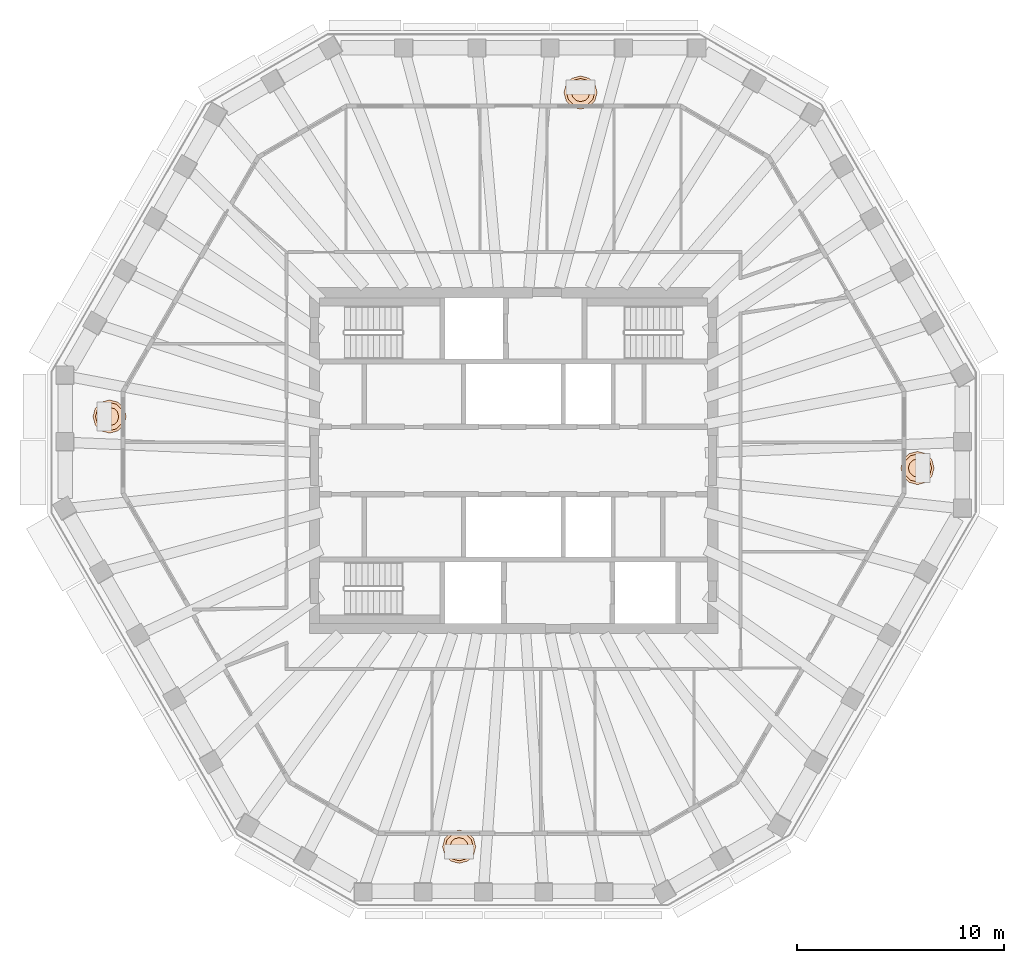
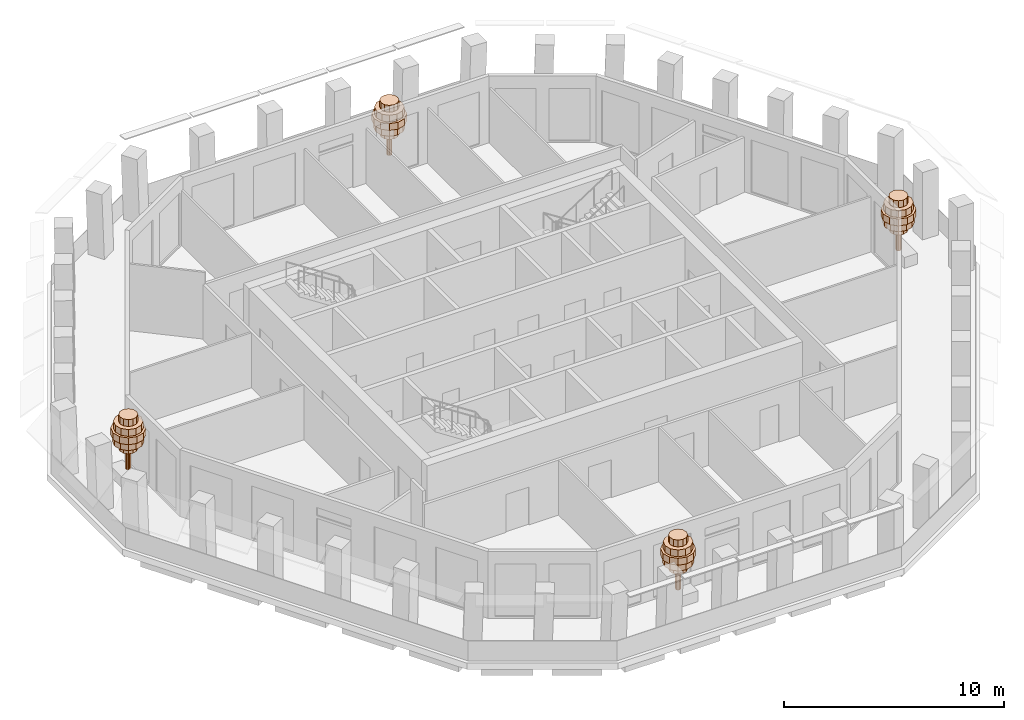
# One storey, part 11 of 11: 4 geographic elements.
"""IFC4 building model written with IfcOpenShell, lengths in metres."""

from ifc_helpers import new_model, si_unit, direction, frame, origin, place, context, subcontext, project, spatial, polyline, outline, extrude, material, type_object, element, save


model = new_model("IFC4")

# Units and contexts
model_context = context("Model", 3, precision=1e-05, world=origin(), true_north=direction((0.0, 1.0)))
body_context = subcontext(model_context, "Body", "Model", "MODEL_VIEW")
ifc_project = project(units=[si_unit("LENGTHUNIT", "METRE"), si_unit("AREAUNIT", "SQUARE_METRE"), si_unit("VOLUMEUNIT", "CUBIC_METRE"), si_unit("PLANEANGLEUNIT", "RADIAN"), si_unit("MASSUNIT", "GRAM", prefix="KILO")], contexts=[model_context])

# Site, building, storey
site_placement = place(None, origin())
site = spatial("IfcSite", under=ifc_project, at=site_placement, CompositionType="ELEMENT")
building_placement = place(site_placement, origin())
building = spatial("IfcBuilding", under=site, at=building_placement, Name="Frailejon Research Tower", CompositionType="ELEMENT")
storey_placement = place(building_placement, frame((0.0, 0.0, 336.60009765625)))
storey = spatial("IfcBuildingStorey", under=building, at=storey_placement, Name="L75", CompositionType="ELEMENT", Elevation=336.60009765625)

# Geographic elements
ifc_material = material(Name="Foliage, green")
geographic_element_type = type_object("IfcGeographicElementType", Name="Frailejon tree, loggia", PredefinedType="USERDEFINED", material=ifc_material)
geographic_element_1_placement = place(storey_placement, frame((19.485595703125, -0.361328125, 0.599853515625)))
element("IfcGeographicElement", 1, at=geographic_element_1_placement, inside=storey, type_object=geographic_element_type, Name="Tree L75", ObjectType="TREE", PredefinedType="USERDEFINED", context=body_context, shape_type="SweptSolid", body=[
    extrude(outline(polyline([(0.1298828125, 0.0), (0.112548828125, 0.06494140625), (0.06494140625, 0.112548828125), (0.0, 0.1298828125), (-0.06494140625, 0.112548828125), (-0.112548828125, 0.06494140625), (-0.1298828125, 0.0), (-0.112548828125, -0.06494140625), (-0.06494140625, -0.112548828125), (0.0, -0.1298828125), (0.06494140625, -0.112548828125), (0.112548828125, -0.06494140625), (0.1298828125, 0.0)])), origin(), (0.0, 0.0, 1.0), 2.239990234375),
    extrude(outline(polyline([(0.43994140625, 0.0), (0.381103515625, 0.219970703125), (0.219970703125, 0.381103515625), (0.0, 0.43994140625), (-0.219970703125, 0.381103515625), (-0.381103515625, 0.219970703125), (-0.43994140625, 0.0), (-0.381103515625, -0.219970703125), (-0.219970703125, -0.381103515625), (0.0, -0.43994140625), (0.219970703125, -0.381103515625), (0.381103515625, -0.219970703125), (0.43994140625, 0.0)])), frame((0.0, 0.0, 1.10009765625)), (0.0, 0.0, 1.0), 0.3798828125),
    extrude(outline(polyline([(0.719970703125, 0.0), (0.62353515625, 0.360107421875), (0.360107421875, 0.62353515625), (0.0, 0.719970703125), (-0.360107421875, 0.62353515625), (-0.62353515625, 0.360107421875), (-0.719970703125, 0.0), (-0.62353515625, -0.360107421875), (-0.360107421875, -0.62353515625), (0.0, -0.719970703125), (0.360107421875, -0.62353515625), (0.62353515625, -0.360107421875), (0.719970703125, 0.0)])), frame((0.0, 0.0, 1.47998046875)), (0.0, 0.0, 1.0), 0.3798828125),
    extrude(outline(polyline([(0.800048828125, 0.0), (0.69287109375, 0.39990234375), (0.39990234375, 0.69287109375), (0.0, 0.800048828125), (-0.39990234375, 0.69287109375), (-0.69287109375, 0.39990234375), (-0.800048828125, 0.0), (-0.69287109375, -0.39990234375), (-0.39990234375, -0.69287109375), (0.0, -0.800048828125), (0.39990234375, -0.69287109375), (0.69287109375, -0.39990234375), (0.800048828125, 0.0)])), frame((0.0, 0.0, 1.860107421875)), (0.0, 0.0, 1.0), 0.3798828125),
    extrude(outline(polyline([(0.679931640625, 0.0), (0.5888671875, 0.340087890625), (0.340087890625, 0.5888671875), (0.0, 0.679931640625), (-0.340087890625, 0.5888671875), (-0.5888671875, 0.340087890625), (-0.679931640625, 0.0), (-0.5888671875, -0.340087890625), (-0.340087890625, -0.5888671875), (0.0, -0.679931640625), (0.340087890625, -0.5888671875), (0.5888671875, -0.340087890625), (0.679931640625, 0.0)])), frame((0.0, 0.0, 2.239990234375)), (0.0, 0.0, 1.0), 0.3798828125),
    extrude(outline(polyline([(0.43994140625, 0.0), (0.381103515625, 0.219970703125), (0.219970703125, 0.381103515625), (0.0, 0.43994140625), (-0.219970703125, 0.381103515625), (-0.381103515625, 0.219970703125), (-0.43994140625, 0.0), (-0.381103515625, -0.219970703125), (-0.219970703125, -0.381103515625), (0.0, -0.43994140625), (0.219970703125, -0.381103515625), (0.381103515625, -0.219970703125), (0.43994140625, 0.0)])), frame((0.0, 0.0, 2.6201171875)), (0.0, 0.0, 1.0), 0.3798828125),
])
geographic_element_2_placement = place(storey_placement, frame((3.23193359375, 17.75, 0.599853515625)))
element("IfcGeographicElement", 2, at=geographic_element_2_placement, inside=storey, type_object=geographic_element_type, Name="Tree L75", ObjectType="TREE", PredefinedType="USERDEFINED", context=body_context, shape_type="SweptSolid", body=[
    extrude(outline(polyline([(0.1298828125, 0.0), (0.112548828125, 0.06494140625), (0.06494140625, 0.112548828125), (0.0, 0.1298828125), (-0.06494140625, 0.112548828125), (-0.112548828125, 0.06494140625), (-0.1298828125, 0.0), (-0.112548828125, -0.06494140625), (-0.06494140625, -0.112548828125), (0.0, -0.1298828125), (0.06494140625, -0.112548828125), (0.112548828125, -0.06494140625), (0.1298828125, 0.0)])), origin(), (0.0, 0.0, 1.0), 2.239990234375),
    extrude(outline(polyline([(0.43994140625, 0.0), (0.381103515625, 0.219970703125), (0.219970703125, 0.381103515625), (0.0, 0.43994140625), (-0.219970703125, 0.381103515625), (-0.381103515625, 0.219970703125), (-0.43994140625, 0.0), (-0.381103515625, -0.219970703125), (-0.219970703125, -0.381103515625), (0.0, -0.43994140625), (0.219970703125, -0.381103515625), (0.381103515625, -0.219970703125), (0.43994140625, 0.0)])), frame((0.0, 0.0, 1.10009765625)), (0.0, 0.0, 1.0), 0.3798828125),
    extrude(outline(polyline([(0.719970703125, 0.0), (0.62353515625, 0.360107421875), (0.360107421875, 0.62353515625), (0.0, 0.719970703125), (-0.360107421875, 0.62353515625), (-0.62353515625, 0.360107421875), (-0.719970703125, 0.0), (-0.62353515625, -0.360107421875), (-0.360107421875, -0.62353515625), (0.0, -0.719970703125), (0.360107421875, -0.62353515625), (0.62353515625, -0.360107421875), (0.719970703125, 0.0)])), frame((0.0, 0.0, 1.47998046875)), (0.0, 0.0, 1.0), 0.3798828125),
    extrude(outline(polyline([(0.800048828125, 0.0), (0.69287109375, 0.39990234375), (0.39990234375, 0.69287109375), (0.0, 0.800048828125), (-0.39990234375, 0.69287109375), (-0.69287109375, 0.39990234375), (-0.800048828125, 0.0), (-0.69287109375, -0.39990234375), (-0.39990234375, -0.69287109375), (0.0, -0.800048828125), (0.39990234375, -0.69287109375), (0.69287109375, -0.39990234375), (0.800048828125, 0.0)])), frame((0.0, 0.0, 1.860107421875)), (0.0, 0.0, 1.0), 0.3798828125),
    extrude(outline(polyline([(0.679931640625, 0.0), (0.5888671875, 0.340087890625), (0.340087890625, 0.5888671875), (0.0, 0.679931640625), (-0.340087890625, 0.5888671875), (-0.5888671875, 0.340087890625), (-0.679931640625, 0.0), (-0.5888671875, -0.340087890625), (-0.340087890625, -0.5888671875), (0.0, -0.679931640625), (0.340087890625, -0.5888671875), (0.5888671875, -0.340087890625), (0.679931640625, 0.0)])), frame((0.0, 0.0, 2.239990234375)), (0.0, 0.0, 1.0), 0.3798828125),
    extrude(outline(polyline([(0.43994140625, 0.0), (0.381103515625, 0.219970703125), (0.219970703125, 0.381103515625), (0.0, 0.43994140625), (-0.219970703125, 0.381103515625), (-0.381103515625, 0.219970703125), (-0.43994140625, 0.0), (-0.381103515625, -0.219970703125), (-0.219970703125, -0.381103515625), (0.0, -0.43994140625), (0.219970703125, -0.381103515625), (0.381103515625, -0.219970703125), (0.43994140625, 0.0)])), frame((0.0, 0.0, 2.6201171875)), (0.0, 0.0, 1.0), 0.3798828125),
])
geographic_element_3_placement = place(storey_placement, frame((-19.485595703125, 2.12109375, 0.599853515625)))
element("IfcGeographicElement", 3, at=geographic_element_3_placement, inside=storey, type_object=geographic_element_type, Name="Tree L75", ObjectType="TREE", PredefinedType="USERDEFINED", context=body_context, shape_type="SweptSolid", body=[
    extrude(outline(polyline([(0.1298828125, 0.0), (0.112548828125, 0.06494140625), (0.06494140625, 0.112548828125), (0.0, 0.1298828125), (-0.06494140625, 0.112548828125), (-0.112548828125, 0.06494140625), (-0.1298828125, 0.0), (-0.112548828125, -0.06494140625), (-0.06494140625, -0.112548828125), (0.0, -0.1298828125), (0.06494140625, -0.112548828125), (0.112548828125, -0.06494140625), (0.1298828125, 0.0)])), origin(), (0.0, 0.0, 1.0), 2.239990234375),
    extrude(outline(polyline([(0.43994140625, 0.0), (0.381103515625, 0.219970703125), (0.219970703125, 0.381103515625), (0.0, 0.43994140625), (-0.219970703125, 0.381103515625), (-0.381103515625, 0.219970703125), (-0.43994140625, 0.0), (-0.381103515625, -0.219970703125), (-0.219970703125, -0.381103515625), (0.0, -0.43994140625), (0.219970703125, -0.381103515625), (0.381103515625, -0.219970703125), (0.43994140625, 0.0)])), frame((0.0, 0.0, 1.10009765625)), (0.0, 0.0, 1.0), 0.3798828125),
    extrude(outline(polyline([(0.719970703125, 0.0), (0.62353515625, 0.360107421875), (0.360107421875, 0.62353515625), (0.0, 0.719970703125), (-0.360107421875, 0.62353515625), (-0.62353515625, 0.360107421875), (-0.719970703125, 0.0), (-0.62353515625, -0.360107421875), (-0.360107421875, -0.62353515625), (0.0, -0.719970703125), (0.360107421875, -0.62353515625), (0.62353515625, -0.360107421875), (0.719970703125, 0.0)])), frame((0.0, 0.0, 1.47998046875)), (0.0, 0.0, 1.0), 0.3798828125),
    extrude(outline(polyline([(0.800048828125, 0.0), (0.69287109375, 0.39990234375), (0.39990234375, 0.69287109375), (0.0, 0.800048828125), (-0.39990234375, 0.69287109375), (-0.69287109375, 0.39990234375), (-0.800048828125, 0.0), (-0.69287109375, -0.39990234375), (-0.39990234375, -0.69287109375), (0.0, -0.800048828125), (0.39990234375, -0.69287109375), (0.69287109375, -0.39990234375), (0.800048828125, 0.0)])), frame((0.0, 0.0, 1.860107421875)), (0.0, 0.0, 1.0), 0.3798828125),
    extrude(outline(polyline([(0.679931640625, 0.0), (0.5888671875, 0.340087890625), (0.340087890625, 0.5888671875), (0.0, 0.679931640625), (-0.340087890625, 0.5888671875), (-0.5888671875, 0.340087890625), (-0.679931640625, 0.0), (-0.5888671875, -0.340087890625), (-0.340087890625, -0.5888671875), (0.0, -0.679931640625), (0.340087890625, -0.5888671875), (0.5888671875, -0.340087890625), (0.679931640625, 0.0)])), frame((0.0, 0.0, 2.239990234375)), (0.0, 0.0, 1.0), 0.3798828125),
    extrude(outline(polyline([(0.43994140625, 0.0), (0.381103515625, 0.219970703125), (0.219970703125, 0.381103515625), (0.0, 0.43994140625), (-0.219970703125, 0.381103515625), (-0.381103515625, 0.219970703125), (-0.43994140625, 0.0), (-0.381103515625, -0.219970703125), (-0.219970703125, -0.381103515625), (0.0, -0.43994140625), (0.219970703125, -0.381103515625), (0.381103515625, -0.219970703125), (0.43994140625, 0.0)])), frame((0.0, 0.0, 2.6201171875)), (0.0, 0.0, 1.0), 0.3798828125),
])
geographic_element_4_placement = place(storey_placement, frame((-2.622314453125, -18.6298828125, 0.599853515625)))
element("IfcGeographicElement", 4, at=geographic_element_4_placement, inside=storey, type_object=geographic_element_type, Name="Tree L75", ObjectType="TREE", PredefinedType="USERDEFINED", context=body_context, shape_type="SweptSolid", body=[
    extrude(outline(polyline([(0.1298828125, 0.0), (0.112548828125, 0.06494140625), (0.06494140625, 0.112548828125), (0.0, 0.1298828125), (-0.06494140625, 0.112548828125), (-0.112548828125, 0.06494140625), (-0.1298828125, 0.0), (-0.112548828125, -0.06494140625), (-0.06494140625, -0.112548828125), (0.0, -0.1298828125), (0.06494140625, -0.112548828125), (0.112548828125, -0.06494140625), (0.1298828125, 0.0)])), origin(), (0.0, 0.0, 1.0), 2.239990234375),
    extrude(outline(polyline([(0.43994140625, 0.0), (0.381103515625, 0.219970703125), (0.219970703125, 0.381103515625), (0.0, 0.43994140625), (-0.219970703125, 0.381103515625), (-0.381103515625, 0.219970703125), (-0.43994140625, 0.0), (-0.381103515625, -0.219970703125), (-0.219970703125, -0.381103515625), (0.0, -0.43994140625), (0.219970703125, -0.381103515625), (0.381103515625, -0.219970703125), (0.43994140625, 0.0)])), frame((0.0, 0.0, 1.10009765625)), (0.0, 0.0, 1.0), 0.3798828125),
    extrude(outline(polyline([(0.719970703125, 0.0), (0.62353515625, 0.360107421875), (0.360107421875, 0.62353515625), (0.0, 0.719970703125), (-0.360107421875, 0.62353515625), (-0.62353515625, 0.360107421875), (-0.719970703125, 0.0), (-0.62353515625, -0.360107421875), (-0.360107421875, -0.62353515625), (0.0, -0.719970703125), (0.360107421875, -0.62353515625), (0.62353515625, -0.360107421875), (0.719970703125, 0.0)])), frame((0.0, 0.0, 1.47998046875)), (0.0, 0.0, 1.0), 0.3798828125),
    extrude(outline(polyline([(0.800048828125, 0.0), (0.69287109375, 0.39990234375), (0.39990234375, 0.69287109375), (0.0, 0.800048828125), (-0.39990234375, 0.69287109375), (-0.69287109375, 0.39990234375), (-0.800048828125, 0.0), (-0.69287109375, -0.39990234375), (-0.39990234375, -0.69287109375), (0.0, -0.800048828125), (0.39990234375, -0.69287109375), (0.69287109375, -0.39990234375), (0.800048828125, 0.0)])), frame((0.0, 0.0, 1.860107421875)), (0.0, 0.0, 1.0), 0.3798828125),
    extrude(outline(polyline([(0.679931640625, 0.0), (0.5888671875, 0.340087890625), (0.340087890625, 0.5888671875), (0.0, 0.679931640625), (-0.340087890625, 0.5888671875), (-0.5888671875, 0.340087890625), (-0.679931640625, 0.0), (-0.5888671875, -0.340087890625), (-0.340087890625, -0.5888671875), (0.0, -0.679931640625), (0.340087890625, -0.5888671875), (0.5888671875, -0.340087890625), (0.679931640625, 0.0)])), frame((0.0, 0.0, 2.239990234375)), (0.0, 0.0, 1.0), 0.3798828125),
    extrude(outline(polyline([(0.43994140625, 0.0), (0.381103515625, 0.219970703125), (0.219970703125, 0.381103515625), (0.0, 0.43994140625), (-0.219970703125, 0.381103515625), (-0.381103515625, 0.219970703125), (-0.43994140625, 0.0), (-0.381103515625, -0.219970703125), (-0.219970703125, -0.381103515625), (0.0, -0.43994140625), (0.219970703125, -0.381103515625), (0.381103515625, -0.219970703125), (0.43994140625, 0.0)])), frame((0.0, 0.0, 2.6201171875)), (0.0, 0.0, 1.0), 0.3798828125),
])

save(model, "model.ifc")
